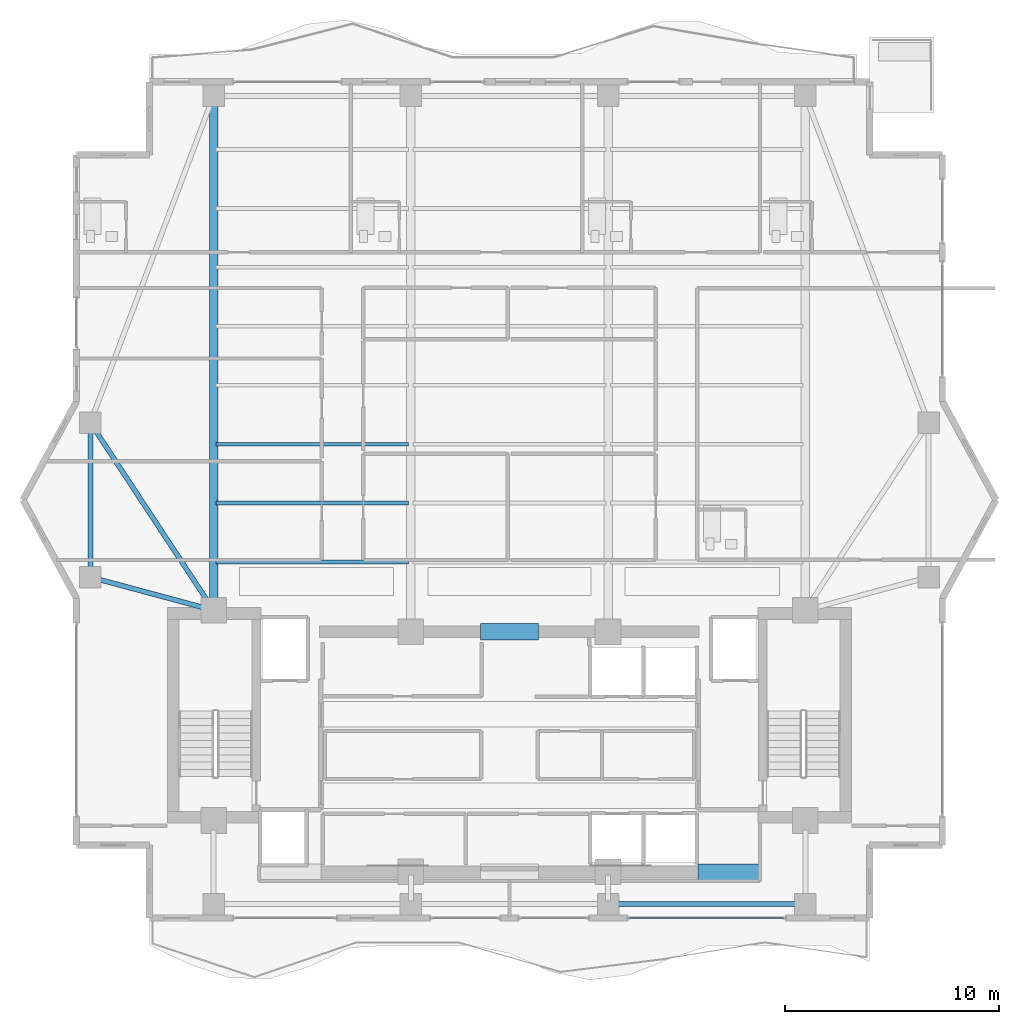
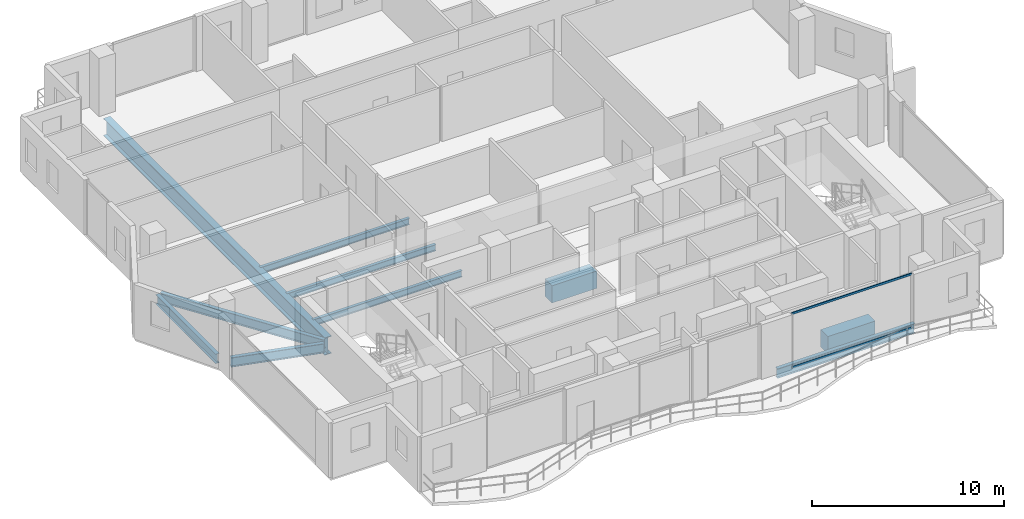
# One storey, part 5 of 23: 10 beams, 2 members, 1 element without a shape of its own.
"""IFC4 building model written with IfcOpenShell, lengths in metres."""

from ifc_helpers import new_model, si_unit, direction, frame, origin, origin_2d, place, context, subcontext, project, spatial, rectangle, hollow_rectangle, i_section, extrude, material, layer, layer_set, material_profile, profile_set, type_object, element, aggregate, save


model = new_model("IFC4")

# Units and contexts
model_context = context("Model", 3, precision=1e-05, world=origin(), true_north=direction((0.0, 1.0)))
body_context = subcontext(model_context, "Body", "Model", "MODEL_VIEW")
ifc_project = project(units=[si_unit("LENGTHUNIT", "METRE"), si_unit("AREAUNIT", "SQUARE_METRE"), si_unit("VOLUMEUNIT", "CUBIC_METRE"), si_unit("PLANEANGLEUNIT", "RADIAN"), si_unit("MASSUNIT", "GRAM", prefix="KILO")], contexts=[model_context])

# Site, building, storey
site_placement = place(None, origin())
site = spatial("IfcSite", under=ifc_project, at=site_placement, CompositionType="ELEMENT")
building_placement = place(site_placement, origin())
building = spatial("IfcBuilding", under=site, at=building_placement, Name="Zuhayl Quay Hotel", CompositionType="ELEMENT")
storey_placement = place(building_placement, frame((0.0, 0.0, 261.85009765625)))
storey = spatial("IfcBuildingStorey", under=building, at=storey_placement, Name="L66", CompositionType="ELEMENT", Elevation=261.85009765625)

# Beams
ifc_material_1 = material(Name="Steel ASTM A992 Grade 50", Category="steel")
ifc_material_profile_1 = material_profile(ifc_material_1, i_section(OverallWidth=0.22802734375, OverallDepth=0.60693359375, WebThickness=0.01123046875, FlangeThickness=0.017333984375, at=origin_2d()), Name="W24X76")
ifc_profile_set_1 = profile_set([ifc_material_profile_1], Name="Steel ASTM A992 Grade 50")
beam_type_1 = type_object("IfcBeamType", Name="BM_B3_W24X76", PredefinedType="BEAM", material=ifc_profile_set_1)
beam_1_placement = place(storey_placement, frame((5.06005859375, 0.64990234375, -0.523681640625), z_axis=(1.0, 0.0, 0.0), x_axis=(0.0, 1.0, 0.0)))
element("IfcBeam", 1, at=beam_1_placement, inside=storey, type_object=beam_type_1, Name="L66 Floor Beam RG_L66_03", PredefinedType="BEAM", context=body_context, shape_type="SweptSolid", body=[
    extrude(i_section(OverallWidth=0.22802734375, OverallDepth=0.60693359375, WebThickness=0.01123046875, FlangeThickness=0.017333984375, at=origin_2d()), origin(), (0.0, 0.0, 1.0), 8.280029296875),
])
beam_2_placement = place(storey_placement, frame((-19.550048828125, 22.639892578125, -0.523681640625), z_axis=(0.0, -1.0, 0.0), x_axis=(1.0, 0.0, 0.0)))
element("IfcBeam", 2, at=beam_2_placement, inside=storey, type_object=beam_type_1, Name="L66 Floor Beam RG_L66_11", PredefinedType="BEAM", context=body_context, shape_type="SweptSolid", body=[
    extrude(i_section(OverallWidth=0.22802734375, OverallDepth=0.60693359375, WebThickness=0.01123046875, FlangeThickness=0.017333984375, at=origin_2d()), origin(), (0.0, 0.0, 1.0), 6.27978515625),
])
beam_3_placement = place(storey_placement, frame((-19.10595703125, 15.7802734375, -0.523681640625), z_axis=(0.965530205773, -0.26029103277, 0.0), x_axis=(0.26029103277, 0.965530205773, 0.0)))
element("IfcBeam", 3, at=beam_3_placement, inside=storey, type_object=beam_type_1, Name="L66 Floor Beam FG_W_L66_1", PredefinedType="BEAM", context=body_context, shape_type="SweptSolid", body=[
    extrude(i_section(OverallWidth=0.22802734375, OverallDepth=0.60693359375, WebThickness=0.01123046875, FlangeThickness=0.017333984375, at=origin_2d()), origin(), (0.0, 0.0, 1.0), 5.045166015625),
])
beam_4_placement = place(storey_placement, frame((-19.29736328125, 22.715576171875, -0.523681640625), z_axis=(0.549177886661, -0.835705479701, 0.0), x_axis=(0.835705479701, 0.549177886661, 0.0)))
element("IfcBeam", 4, at=beam_4_placement, inside=storey, type_object=beam_type_1, Name="L66 Floor Beam FG_W_L66_2", PredefinedType="BEAM", context=body_context, shape_type="SweptSolid", body=[
    extrude(i_section(OverallWidth=0.22802734375, OverallDepth=0.60693359375, WebThickness=0.01123046875, FlangeThickness=0.017333984375, at=origin_2d()), origin(), (0.0, 0.0, 1.0), 9.560302734375),
])
ifc_material_2 = material(Name="Concrete C60/75", Category="concrete")
ifc_material_profile_2 = material_profile(ifc_material_2, rectangle(XDim=0.75, YDim=1.10009765625, at=origin_2d()), Name="RC750X1100")
ifc_profile_set_2 = profile_set([ifc_material_profile_2], Name="Concrete C60/75")
beam_type_2 = type_object("IfcBeamType", Name="BM_CB2_RC750", PredefinedType="T_BEAM", material=ifc_profile_set_2)
beam_5_placement = place(storey_placement, frame((8.800048828125, 2.14990234375, -0.77001953125), z_axis=(1.0, 0.0, 0.0), x_axis=(0.0, 1.0, 0.0)))
element("IfcBeam", 5, at=beam_5_placement, inside=storey, type_object=beam_type_2, Name="L66 Core Coupling Beam SE", PredefinedType="T_BEAM", context=body_context, shape_type="SweptSolid", body=[
    extrude(rectangle(XDim=0.75, YDim=1.10009765625, at=origin_2d()), origin(), (0.0, 0.0, 1.0), 2.849853515625),
])
beam_6_placement = place(storey_placement, frame((-1.35009765625, 13.35009765625, -0.77001953125), z_axis=(1.0, 0.0, 0.0), x_axis=(0.0, 1.0, 0.0)))
element("IfcBeam", 6, at=beam_6_placement, inside=storey, type_object=beam_type_2, Name="L66 Core Coupling Beam North", PredefinedType="T_BEAM", context=body_context, shape_type="SweptSolid", body=[
    extrude(rectangle(XDim=0.75, YDim=1.10009765625, at=origin_2d()), origin(), (0.0, 0.0, 1.0), 2.7001953125),
])
ifc_material_profile_3 = material_profile(ifc_material_1, i_section(OverallWidth=0.177978515625, OverallDepth=0.404052734375, WebThickness=0.007568359375, FlangeThickness=0.010986328125, at=origin_2d()), Name="W16X36")
ifc_profile_set_3 = profile_set([ifc_material_profile_3], Name="Steel ASTM A992 Grade 50")
beam_type_3 = type_object("IfcBeamType", Name="BM_J3_W16X36", PredefinedType="JOIST", material=ifc_profile_set_3)
for number, where, z_axis, x_axis, name in (
    (7, (-13.694091796875, 16.60009765625, -0.422119140625), (1.0, 0.0, 0.0), (0.0, 1.0, 0.0), "L66 Floor Beam FJ_L66_1_1"),
    (8, (-13.694091796875, 19.35009765625, -0.422119140625), (1.0, 0.0, 0.0), (0.0, 1.0, 0.0), "L66 Floor Beam FJ_L66_2_1"),
    (9, (-13.694091796875, 22.10009765625, -0.422119140625), (1.0, 0.0, 0.0), (0.0, 1.0, 0.0), "L66 Floor Beam FJ_L66_3_1"),
):
    element("IfcBeam", number, at=place(storey_placement, frame(where, z_axis=z_axis, x_axis=x_axis)), inside=storey, type_object=beam_type_3, Name=name, PredefinedType="JOIST", context=body_context, shape_type="SweptSolid", body=[
        extrude(i_section(OverallWidth=0.177978515625, OverallDepth=0.404052734375, WebThickness=0.007568359375, FlangeThickness=0.010986328125, at=origin_2d()), origin(), (0.0, 0.0, 1.0), 8.988037109375),
    ])
ifc_material_3 = material(Name="Steel ASTM A913 Grade 65", Category="steel")
ifc_material_profile_4 = material_profile(ifc_material_3, i_section(OverallWidth=0.404052734375, OverallDepth=1.117919921875, WebThickness=0.026123046875, FlangeThickness=0.044921875, at=origin_2d()), Name="W44X335")
ifc_profile_set_4 = profile_set([ifc_material_profile_4], Name="Steel ASTM A913 Grade 65")
beam_type_4 = type_object("IfcBeamType", Name="BM_TG1_W44X335", PredefinedType="BEAM", material=ifc_profile_set_4)
beam_7_placement = place(storey_placement, frame((-13.800048828125, 14.800048828125, -0.779052734375), z_axis=(0.0, 1.0, 0.0), x_axis=(-1.0, 0.0, 0.0)))
element("IfcBeam", 10, at=beam_7_placement, inside=storey, type_object=beam_type_4, Name="L66 Floor Beam FG_N_L66_1", PredefinedType="BEAM", context=body_context, shape_type="SweptSolid", body=[
    extrude(i_section(OverallWidth=0.404052734375, OverallDepth=1.117919921875, WebThickness=0.026123046875, FlangeThickness=0.044921875, at=origin_2d()), origin(), (0.0, 0.0, 1.0), 23.08984375),
])

# Curtain wall, members
ifc_material_4 = material(Name="Anodised Aluminium 6063-T6", Category="aluminium")
ifc_layer = layer(ifc_material_4, 0.169921875, Name="Anodised Aluminium 6063-T6", Category="aluminium")
ifc_layer_set = layer_set([ifc_layer], Name="Anodised Aluminium 6063-T6")
curtain_wall_type = type_object("IfcCurtainWallType", Name="CW_SYS_Z4", PredefinedType="USERDEFINED", material=ifc_layer_set)
curtain_wall_placement = place(storey_placement, origin())
curtain_wall = element("IfcCurtainWall", 11, at=curtain_wall_placement, inside=storey, type_object=curtain_wall_type, Name="L66 Curtain Wall ENV_L66_S_CW1", ObjectType="UNITISED CURTAIN WALL", PredefinedType="USERDEFINED")
ifc_material_5 = material(Name="Black-anodised aluminium 6063-T6", Category="aluminium")
ifc_material_profile_5 = material_profile(ifc_material_5, hollow_rectangle(XDim=0.054931640625, YDim=0.1298828125, WallThickness=0.0029296875, at=origin_2d()), Name="ALU130X55")
ifc_profile_set_5 = profile_set([ifc_material_profile_5], Name="Black-anodised aluminium 6063-T6")
member_type = type_object("IfcMemberType", Name="MB_CW_TRN_130", PredefinedType="USERDEFINED", material=ifc_profile_set_5)
member_1_placement = place(storey_placement, frame((12.81494140625, 0.0, 0.02734375), z_axis=(-1.0, 0.0, 0.0), x_axis=(0.0, -1.0, 0.0)))
member_1 = element("IfcMember", 12, at=member_1_placement, type_object=member_type, Name="CW-Z4 transom 1.1", ObjectType="TRANSOM", PredefinedType="USERDEFINED", context=body_context, shape_type="SweptSolid", body=[
    extrude(hollow_rectangle(XDim=0.054931640625, YDim=0.1298828125, WallThickness=0.0029296875, at=origin_2d()), origin(), (0.0, 0.0, 1.0), 7.22998046875),
])
member_2_placement = place(storey_placement, frame((12.81494140625, 0.0, 3.452392578125), z_axis=(-1.0, 0.0, 0.0), x_axis=(0.0, -1.0, 0.0)))
member_2 = element("IfcMember", 13, at=member_2_placement, type_object=member_type, Name="CW-Z4 transom 1.2", ObjectType="TRANSOM", PredefinedType="USERDEFINED", context=body_context, shape_type="SweptSolid", body=[
    extrude(hollow_rectangle(XDim=0.054931640625, YDim=0.1298828125, WallThickness=0.0029296875, at=origin_2d()), origin(), (0.0, 0.0, 1.0), 7.22998046875),
])
aggregate(curtain_wall, [member_1, member_2])

save(model, "model.ifc")
